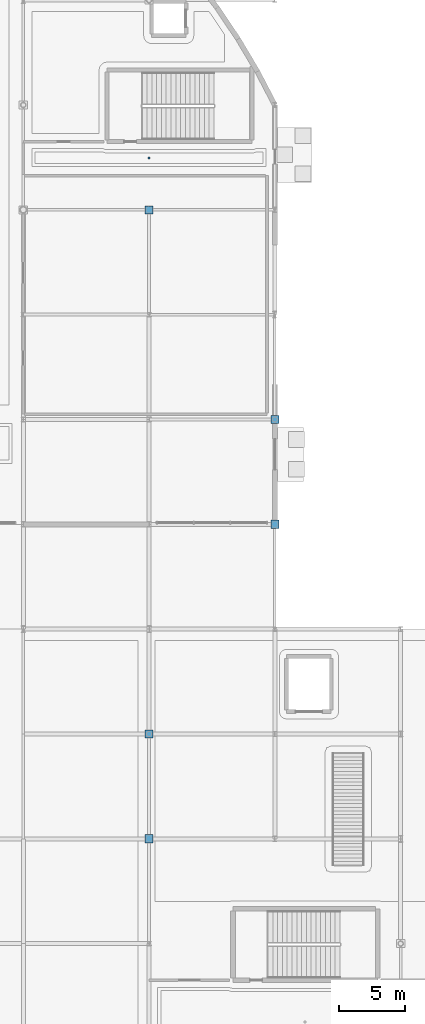
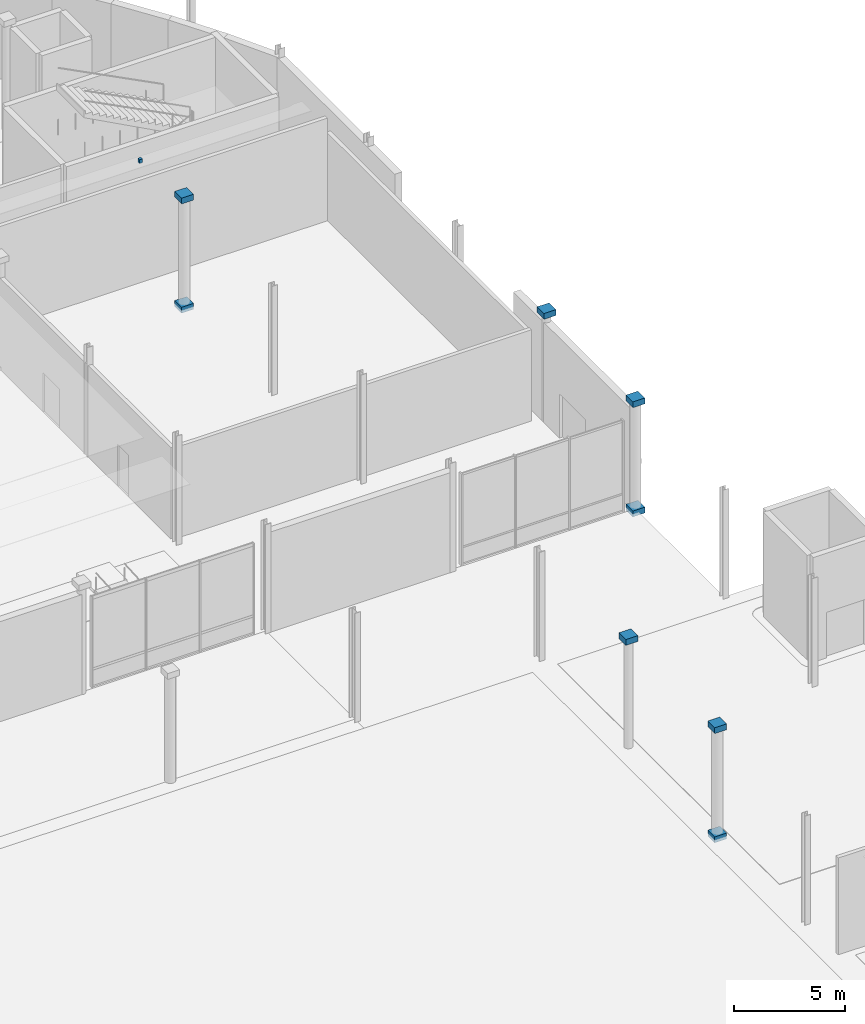
# One storey, part 100 of 124: 9 discrete accessories.
"""IFC4 building model written with IfcOpenShell, lengths in metres."""

from ifc_helpers import new_model, si_unit, direction, frame, origin, origin_2d, place, context, subcontext, project, spatial, rectangle, extrude, material, type_object, element, save


model = new_model("IFC4")

# Units and contexts
model_context = context("Model", 3, precision=1e-05, world=origin(), true_north=direction((0.0, 1.0)))
body_context = subcontext(model_context, "Body", "Model", "MODEL_VIEW")
ifc_project = project(units=[si_unit("LENGTHUNIT", "METRE"), si_unit("AREAUNIT", "SQUARE_METRE"), si_unit("VOLUMEUNIT", "CUBIC_METRE"), si_unit("PLANEANGLEUNIT", "RADIAN"), si_unit("MASSUNIT", "GRAM", prefix="KILO")], contexts=[model_context])

# Site, building, storey
site_placement = place(None, origin())
site = spatial("IfcSite", under=ifc_project, at=site_placement, CompositionType="ELEMENT")
building_placement = place(site_placement, origin())
building = spatial("IfcBuilding", under=site, at=building_placement, Name="Danafjord Basin Convention Centre", CompositionType="ELEMENT")
storey_placement = place(building_placement, origin())
storey = spatial("IfcBuildingStorey", under=building, at=storey_placement, Name="L00", CompositionType="ELEMENT", Elevation=0.0)

# Discrete accessories
ifc_material_1 = material(Name="Stainless steel EN 1.4404", Category="steel")
discrete_accessory_type_1 = type_object("IfcDiscreteAccessoryType", Name="ACC-FIN-BRK", PredefinedType="BRACKET", material=ifc_material_1)
discrete_accessory_placement = place(storey_placement, frame((191.989990234375, 115.93994140625, 5.4599609375), z_axis=(0.0, 0.0, 1.0), x_axis=(1.0, 0.0, 0.0)))
element("IfcDiscreteAccessory", 1, at=discrete_accessory_placement, inside=storey, type_object=discrete_accessory_type_1, Name="Suspended ceiling steel hanger assembly", PredefinedType="BRACKET", context=body_context, shape_type="SweptSolid", body=[
    extrude(rectangle(XDim=0.159912109375, YDim=0.159912109375, at=origin_2d()), origin(), (0.0, 0.0, 1.0), 0.199951171875),
])
ifc_material_2 = material(Name="Steel S355", Category="steel")
discrete_accessory_type_2 = type_object("IfcDiscreteAccessoryType", Name="ACC-SF-HUB", PredefinedType="BRACKET", material=ifc_material_2)
for number, where, z_axis, x_axis, name in (
    (2, (192.0, 64.0, -0.16015625), (0.0, 0.0, 1.0), (1.0, 0.0, 0.0), "Tubular steel column transition collar"),
    (3, (192.0, 64.0, 5.83984375), (0.0, 0.0, 1.0), (1.0, 0.0, 0.0), "Tubular steel column top cap plate"),
    (4, (192.0, 72.0, 5.83984375), (0.0, 0.0, 1.0), (1.0, 0.0, 0.0), "Tubular steel column top cap plate"),
    (5, (192.0, 112.0, -0.16015625), (0.0, 0.0, 1.0), (1.0, 0.0, 0.0), "Tubular steel column transition collar"),
    (6, (192.0, 112.0, 5.83984375), (0.0, 0.0, 1.0), (1.0, 0.0, 0.0), "Tubular steel column top cap plate"),
    (7, (201.60009765625, 88.0, -0.16015625), (0.0, 0.0, 1.0), (1.0, 0.0, 0.0), "Tubular steel column transition collar"),
    (8, (201.60009765625, 88.0, 5.83984375), (0.0, 0.0, 1.0), (1.0, 0.0, 0.0), "Tubular steel column top cap plate"),
    (9, (201.60009765625, 96.0, 5.83984375), (0.0, 0.0, 1.0), (1.0, 0.0, 0.0), "Tubular steel column top cap plate"),
):
    element("IfcDiscreteAccessory", number, at=place(storey_placement, frame(where, z_axis=z_axis, x_axis=x_axis)), inside=storey, type_object=discrete_accessory_type_2, Name=name, PredefinedType="BRACKET", context=body_context, shape_type="SweptSolid", body=[
        extrude(rectangle(XDim=0.6201171875, YDim=0.6201171875, at=origin_2d()), origin(), (0.0, 0.0, 1.0), 0.320068359375),
    ])

save(model, "model.ifc")
